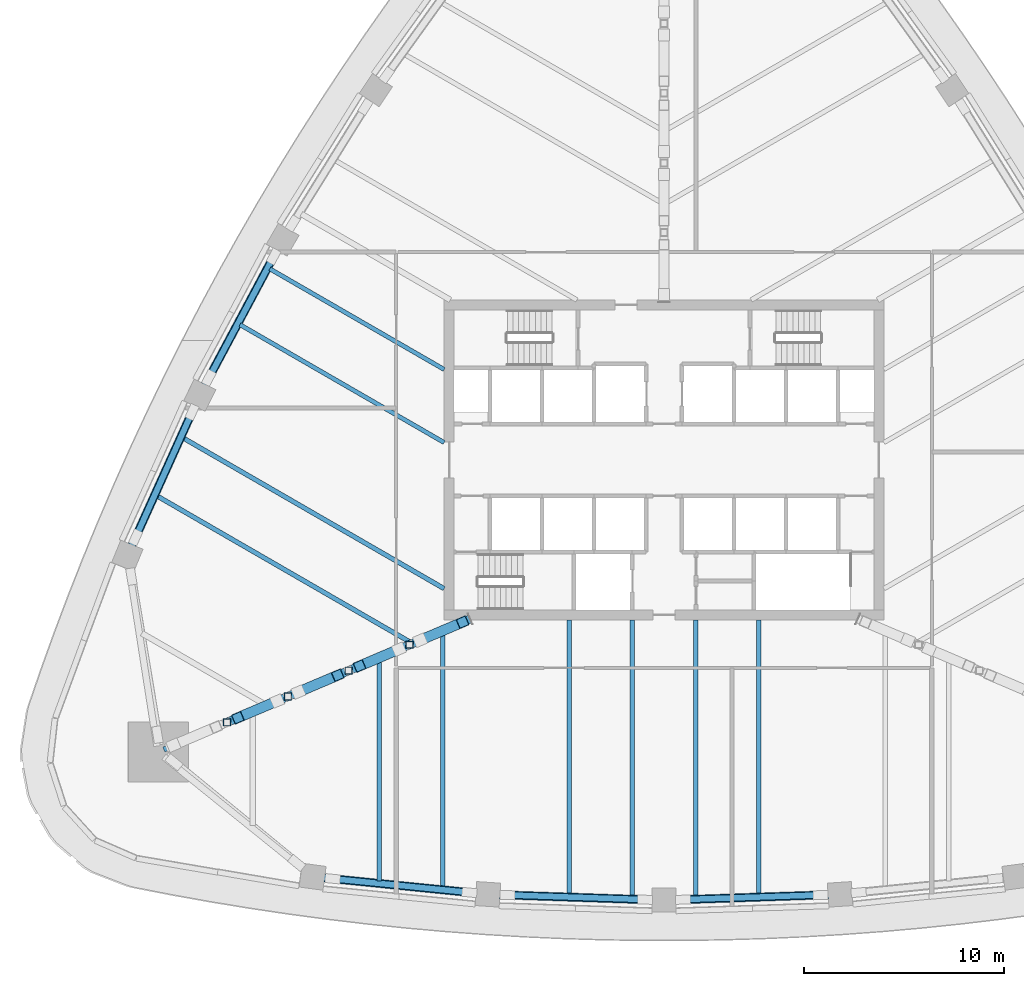
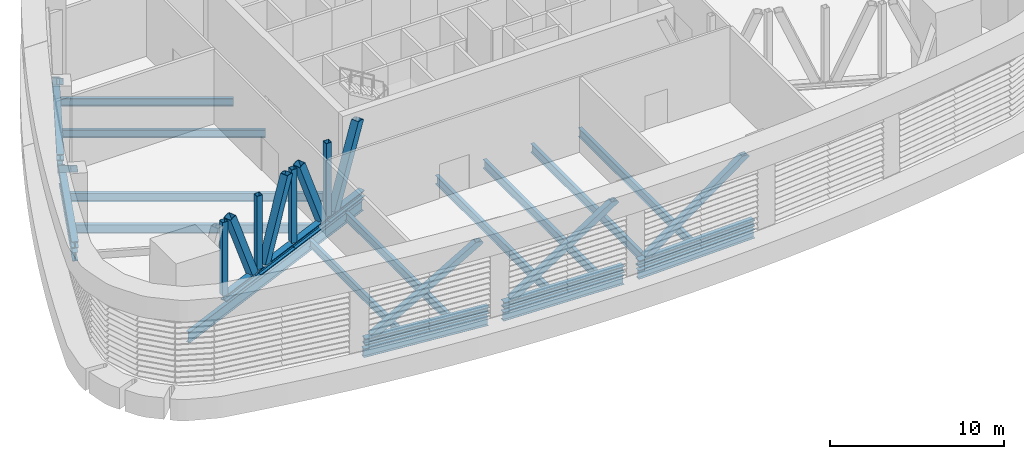
# One storey, part 2 of 18: 25 beams, 13 members.
"""IFC4 building model written with IfcOpenShell, lengths in metres."""

from ifc_helpers import new_model, si_unit, direction, frame, origin, origin_2d, place, context, subcontext, project, spatial, hollow_rectangle, i_section, extrude, clip, halfspace, material, material_profile, profile_set, type_object, element, save


model = new_model("IFC4")

# Units and contexts
model_context = context("Model", 3, precision=1e-05, world=origin(), true_north=direction((0.0, 1.0)))
body_context = subcontext(model_context, "Body", "Model", "MODEL_VIEW")
ifc_project = project(units=[si_unit("LENGTHUNIT", "METRE"), si_unit("AREAUNIT", "SQUARE_METRE"), si_unit("VOLUMEUNIT", "CUBIC_METRE"), si_unit("PLANEANGLEUNIT", "RADIAN"), si_unit("MASSUNIT", "GRAM", prefix="KILO")], contexts=[model_context])

# Site, building, storey
site_placement = place(None, origin())
site = spatial("IfcSite", under=ifc_project, at=site_placement, CompositionType="ELEMENT")
building_placement = place(site_placement, origin())
building = spatial("IfcBuilding", under=site, at=building_placement, Name="Sierra Prisma Convention Tower", CompositionType="ELEMENT")
storey_placement = place(building_placement, frame((0.0, 0.0, 112.60009765625)))
storey = spatial("IfcBuildingStorey", under=building, at=storey_placement, Name="L24", CompositionType="ELEMENT", Elevation=112.60009765625)

# Beams
ifc_material_1 = material(Name="Steel ASTM A992 Gr 50", Category="steel")
ifc_material_profile_1 = material_profile(ifc_material_1, i_section(OverallWidth=0.2119140625, OverallDepth=0.5439453125, WebThickness=0.01318359375, FlangeThickness=0.021240234375, at=origin_2d()), Name="W530x123")
ifc_profile_set_1 = profile_set([ifc_material_profile_1], Name="Steel ASTM A992 Gr 50")
beam_type_1 = type_object("IfcBeamType", Name="Plant floor joist W530x123", PredefinedType="JOIST", material=ifc_profile_set_1)
beam_1_placement = place(storey_placement, frame((-14.2431640625, -21.07421875, -0.522216796875), z_axis=(0.0, 1.0, 0.0), x_axis=(-1.0, 0.0, 0.0)))
element("IfcBeam", 1, at=beam_1_placement, inside=storey, type_object=beam_type_1, Name="Floor joist L24 S04", PredefinedType="JOIST", context=body_context, shape_type="SweptSolid", body=[
    extrude(i_section(OverallWidth=0.2119140625, OverallDepth=0.5439453125, WebThickness=0.01318359375, FlangeThickness=0.021240234375, at=origin_2d()), origin(), (0.0, 0.0, 1.0), 11.121826171875),
])
beam_2_placement = place(storey_placement, frame((-19.72412109375, 9.560302734375, -0.522216796875), z_axis=(0.866025766036, -0.499999372561, 0.0), x_axis=(0.499999372561, 0.866025766036, 0.0)))
element("IfcBeam", 2, at=beam_2_placement, inside=storey, type_object=beam_type_1, Name="Floor joist L24 NW09", PredefinedType="JOIST", context=body_context, shape_type="SweptSolid", body=[
    extrude(i_section(OverallWidth=0.2119140625, OverallDepth=0.5439453125, WebThickness=0.01318359375, FlangeThickness=0.021240234375, at=origin_2d()), origin(), (0.0, 0.0, 1.0), 10.07373046875),
])
beam_3_placement = place(storey_placement, frame((-21.215087890625, 6.766357421875, -0.522216796875), z_axis=(0.866024620579, -0.500001356548, 0.0), x_axis=(0.500001356548, 0.866024620579, 0.0)))
element("IfcBeam", 3, at=beam_3_placement, inside=storey, type_object=beam_type_1, Name="Floor joist L24 NW10", PredefinedType="JOIST", context=body_context, shape_type="SweptSolid", body=[
    extrude(i_section(OverallWidth=0.2119140625, OverallDepth=0.5439453125, WebThickness=0.01318359375, FlangeThickness=0.021240234375, at=origin_2d()), origin(), (0.0, 0.0, 1.0), 11.79541015625),
])
ifc_material_2 = material(Name="Steel ASTM A992 Gr 50", Category="steel")
ifc_material_profile_2 = material_profile(ifc_material_2, i_section(OverallWidth=0.22900390625, OverallDepth=0.612060546875, WebThickness=0.011962890625, FlangeThickness=0.01953125, at=origin_2d()), Name="W610x125")
ifc_profile_set_2 = profile_set([ifc_material_profile_2], Name="Steel ASTM A992 Gr 50")
beam_type_2 = type_object("IfcBeamType", Name="Plant floor joist W610x125", PredefinedType="JOIST", material=ifc_profile_set_2)
beam_4_placement = place(storey_placement, frame((-11.077880859375, -21.39208984375, -0.55615234375), z_axis=(0.0, 1.0, 0.0), x_axis=(-1.0, 0.0, 0.0)))
element("IfcBeam", 4, at=beam_4_placement, inside=storey, type_object=beam_type_2, Name="Floor joist L24 S05", PredefinedType="JOIST", context=body_context, shape_type="SweptSolid", body=[
    extrude(i_section(OverallWidth=0.22900390625, OverallDepth=0.612060546875, WebThickness=0.011962890625, FlangeThickness=0.01953125, at=origin_2d()), origin(), (0.0, 0.0, 1.0), 12.78955078125),
])
beam_5_placement = place(storey_placement, frame((-4.747802734375, -21.756103515625, -0.55615234375), z_axis=(0.0, 1.0, 0.0), x_axis=(-1.0, 0.0, 0.0)))
element("IfcBeam", 5, at=beam_5_placement, inside=storey, type_object=beam_type_2, Name="Floor joist L24 S07", PredefinedType="JOIST", context=body_context, shape_type="SweptSolid", body=[
    extrude(i_section(OverallWidth=0.22900390625, OverallDepth=0.612060546875, WebThickness=0.011962890625, FlangeThickness=0.01953125, at=origin_2d()), origin(), (0.0, 0.0, 1.0), 13.756103515625),
])
for number, where, z_axis, x_axis, name in (
    (6, (-1.58251953125, -21.861572265625, -0.55615234375), (0.0, 1.0, 0.0), (-1.0, 0.0, 0.0), "Floor joist L24 S08"),
    (7, (1.58251953125, -21.861572265625, -0.55615234375), (0.0, 1.0, 0.0), (-1.0, 0.0, 0.0), "Floor joist L24 S09"),
):
    element("IfcBeam", number, at=place(storey_placement, frame(where, z_axis=z_axis, x_axis=x_axis)), inside=storey, type_object=beam_type_2, Name=name, PredefinedType="JOIST", context=body_context, shape_type="SweptSolid", body=[
        extrude(i_section(OverallWidth=0.22900390625, OverallDepth=0.612060546875, WebThickness=0.011962890625, FlangeThickness=0.01953125, at=origin_2d()), origin(), (0.0, 0.0, 1.0), 13.861572265625),
    ])
beam_6_placement = place(storey_placement, frame((4.747802734375, -21.756103515625, -0.55615234375), z_axis=(0.0, 1.0, 0.0), x_axis=(-1.0, 0.0, 0.0)))
element("IfcBeam", 8, at=beam_6_placement, inside=storey, type_object=beam_type_2, Name="Floor joist L24 S10", PredefinedType="JOIST", context=body_context, shape_type="SweptSolid", body=[
    extrude(i_section(OverallWidth=0.22900390625, OverallDepth=0.612060546875, WebThickness=0.011962890625, FlangeThickness=0.01953125, at=origin_2d()), origin(), (0.0, 0.0, 1.0), 13.756103515625),
])
beam_7_placement = place(storey_placement, frame((-24.065185546875, 1.102294921875, -0.55615234375), z_axis=(0.866024700633, -0.500001217892, 0.0), x_axis=(0.500001217892, 0.866024700633, 0.0)))
element("IfcBeam", 9, at=beam_7_placement, inside=storey, type_object=beam_type_2, Name="Floor joist L24 NW12", PredefinedType="JOIST", context=body_context, shape_type="SweptSolid", body=[
    extrude(i_section(OverallWidth=0.22900390625, OverallDepth=0.612060546875, WebThickness=0.011962890625, FlangeThickness=0.01953125, at=origin_2d()), origin(), (0.0, 0.0, 1.0), 15.08642578125),
])
beam_8_placement = place(storey_placement, frame((-25.372314453125, -1.7978515625, -0.55615234375), z_axis=(0.866024978935, -0.500000735859, 0.0), x_axis=(0.500000735859, 0.866024978935, 0.0)))
element("IfcBeam", 10, at=beam_8_placement, inside=storey, type_object=beam_type_2, Name="Floor joist L24 NW13", PredefinedType="JOIST", context=body_context, shape_type="SweptSolid", body=[
    extrude(i_section(OverallWidth=0.22900390625, OverallDepth=0.612060546875, WebThickness=0.011962890625, FlangeThickness=0.01953125, at=origin_2d()), origin(), (0.0, 0.0, 1.0), 14.70751953125),
])
ifc_material_3 = material(Name="Steel ASTM A992 Gr 50", Category="steel")
ifc_material_profile_3 = material_profile(ifc_material_3, i_section(OverallWidth=0.264892578125, OverallDepth=0.7529296875, WebThickness=0.01318359375, FlangeThickness=0.01708984375, at=origin_2d()), Name="W760x147")
ifc_profile_set_3 = profile_set([ifc_material_profile_3], Name="Steel ASTM A992 Gr 50")
beam_type_3 = type_object("IfcBeamType", Name="Radial girder W760x147", PredefinedType="BEAM", material=ifc_profile_set_3)
beam_9_placement = place(storey_placement, frame((-25.02099609375, -14.4912109375, -0.626708984375), z_axis=(0.919843646703, 0.392285184043, 0.0), x_axis=(-0.392285184043, 0.919843646703, 0.0)))
element("IfcBeam", 11, at=beam_9_placement, inside=storey, type_object=beam_type_3, Name="Radial girder L24 SW", PredefinedType="BEAM", context=body_context, shape_type="SweptSolid", body=[
    extrude(i_section(OverallWidth=0.264892578125, OverallDepth=0.7529296875, WebThickness=0.01318359375, FlangeThickness=0.01708984375, at=origin_2d()), origin(), (0.0, 0.0, 1.0), 16.667236328125),
])
ifc_material_4 = material(Name="Steel ASTM A992 Gr 50", Category="steel")
ifc_material_profile_4 = material_profile(ifc_material_4, i_section(OverallWidth=0.324951171875, OverallDepth=0.615966796875, WebThickness=0.013916015625, FlangeThickness=0.021484375, at=origin_2d()), Name="W610x174")
ifc_profile_set_4 = profile_set([ifc_material_profile_4], Name="Steel ASTM A992 Gr 50")
beam_type_4 = type_object("IfcBeamType", Name="Spandrel beam W610x174", PredefinedType="BEAM", material=ifc_profile_set_4)
beam_10_placement = place(storey_placement, frame((-17.11328125, -20.899169921875, -0.55810546875), z_axis=(0.994991258504, -0.099961970275, 0.0), x_axis=(0.099961970275, 0.994991258504, 0.0)))
element("IfcBeam", 12, at=beam_10_placement, inside=storey, type_object=beam_type_4, Name="Spandrel L24-02", PredefinedType="BEAM", context=body_context, shape_type="SweptSolid", body=[
    extrude(i_section(OverallWidth=0.324951171875, OverallDepth=0.615966796875, WebThickness=0.013916015625, FlangeThickness=0.021484375, at=origin_2d()), origin(), (0.0, 0.0, 1.0), 7.859375),
])
for number, where, z_axis, x_axis, name in (
    (13, (-8.335205078125, -21.748779296875, -0.55810546875), (0.999443354483, -0.033361372579, 0.0), (0.033361372579, 0.999443354483, 0.0), "Spandrel L24-03"),
    (14, (0.47998046875, -22.010986328125, -0.55810546875), (0.999443354483, 0.033361372579, 0.0), (-0.033361372579, 0.999443354483, 0.0), "Spandrel L24-04"),
):
    element("IfcBeam", number, at=place(storey_placement, frame(where, z_axis=z_axis, x_axis=x_axis)), inside=storey, type_object=beam_type_4, Name=name, PredefinedType="BEAM", context=body_context, shape_type="SweptSolid", body=[
        extrude(i_section(OverallWidth=0.324951171875, OverallDepth=0.615966796875, WebThickness=0.013916015625, FlangeThickness=0.021484375, at=origin_2d()), origin(), (0.0, 0.0, 1.0), 7.859619140625),
    ])
for number, where, z_axis, x_axis, name in (
    (15, (-19.30224609375, 10.58984375, -0.55810546875), (-0.470825223161, -0.882226506763, 0.0), (0.882226506763, -0.470825223161, 0.0), "Spandrel L24-16"),
    (16, (-23.42626953125, 2.79443359375, -0.55810546875), (-0.410905791645, -0.911677810629, 0.0), (0.911677810629, -0.410905791645, 0.0), "Spandrel L24-17"),
):
    element("IfcBeam", number, at=place(storey_placement, frame(where, z_axis=z_axis, x_axis=x_axis)), inside=storey, type_object=beam_type_4, Name=name, PredefinedType="BEAM", context=body_context, shape_type="SweptSolid", body=[
        extrude(i_section(OverallWidth=0.324951171875, OverallDepth=0.615966796875, WebThickness=0.013916015625, FlangeThickness=0.021484375, at=origin_2d()), origin(), (0.0, 0.0, 1.0), 7.859375),
    ])
ifc_material_5 = material(Name="Steel ASTM A992 Gr 50", Category="steel")
ifc_material_profile_5 = material_profile(ifc_material_5, i_section(OverallWidth=0.41796875, OverallDepth=0.4580078125, WebThickness=0.036376953125, FlangeThickness=0.05859375, at=origin_2d()), Name="W360x463")
ifc_profile_set_5 = profile_set([ifc_material_profile_5], Name="Steel ASTM A992 Gr 50")
beam_type_5 = type_object("IfcBeamType", Name="Truss chord W360x463", PredefinedType="BEAM", material=ifc_profile_set_5)
beam_11_placement = place(storey_placement, frame((-17.048828125, -20.906982421875, 0.22900390625), z_axis=(0.994984240351, -0.100031802213, 0.0), x_axis=(0.100031802213, 0.994984240351, 0.0)))
element("IfcBeam", 17, at=beam_11_placement, inside=storey, type_object=beam_type_5, Name="Belt truss L24-02 bottom chord 1", PredefinedType="BEAM", context=body_context, shape_type="SweptSolid", body=[
    extrude(i_section(OverallWidth=0.41796875, OverallDepth=0.4580078125, WebThickness=0.036376953125, FlangeThickness=0.05859375, at=origin_2d()), origin(), (0.0, 0.0, 1.0), 7.8271484375),
])
for number, where, z_axis, x_axis, name in (
    (18, (-8.302978515625, -21.75390625, 0.22900390625), (0.999441891146, -0.03340518258, 0.0), (0.03340518258, 0.999441891146, 0.0), "Belt truss L24-03 bottom chord 1"),
    (19, (0.47998046875, -22.015380859375, 0.22900390625), (0.999441891146, 0.03340518258, 0.0), (-0.03340518258, 0.999441891146, 0.0), "Belt truss L24-04 bottom chord 1"),
):
    element("IfcBeam", number, at=place(storey_placement, frame(where, z_axis=z_axis, x_axis=x_axis)), inside=storey, type_object=beam_type_5, Name=name, PredefinedType="BEAM", context=body_context, shape_type="SweptSolid", body=[
        extrude(i_section(OverallWidth=0.41796875, OverallDepth=0.4580078125, WebThickness=0.036376953125, FlangeThickness=0.05859375, at=origin_2d()), origin(), (0.0, 0.0, 1.0), 7.827392578125),
    ])
for number, where, z_axis, x_axis, name in (
    (20, (-19.305908203125, 10.591796875, 0.22900390625), (-0.470811636761, -0.882233757397, 0.0), (0.882233757397, -0.470811636761, 0.0), "Belt truss L24-16 bottom chord 1"),
    (21, (-23.41455078125, 2.82470703125, 0.22900390625), (-0.410856161502, -0.911700177995, 0.0), (0.911700177995, -0.410856161502, 0.0), "Belt truss L24-17 bottom chord 1"),
):
    element("IfcBeam", number, at=place(storey_placement, frame(where, z_axis=z_axis, x_axis=x_axis)), inside=storey, type_object=beam_type_5, Name=name, PredefinedType="BEAM", context=body_context, shape_type="SweptSolid", body=[
        extrude(i_section(OverallWidth=0.41796875, OverallDepth=0.4580078125, WebThickness=0.036376953125, FlangeThickness=0.05859375, at=origin_2d()), origin(), (0.0, 0.0, 1.0), 7.8271484375),
    ])
beam_12_placement = place(storey_placement, frame((-21.86474609375, -13.1318359375, 0.22900390625), z_axis=(0.920221950484, 0.391396936431, 0.0), x_axis=(-0.391396936431, 0.920221950484, 0.0)))
element("IfcBeam", 22, at=beam_12_placement, inside=storey, type_object=beam_type_5, Name="Outrigger truss L24 SW bottom chord 2", PredefinedType="BEAM", context=body_context, shape_type="SweptSolid", body=[
    extrude(i_section(OverallWidth=0.41796875, OverallDepth=0.4580078125, WebThickness=0.036376953125, FlangeThickness=0.05859375, at=origin_2d()), origin(), (0.0, 0.0, 1.0), 3.307861328125),
])
for number, where, z_axis, x_axis, name in (
    (23, (-18.82080078125, -11.837158203125, 0.22900390625), (0.920210642768, 0.391423521184, 0.0), (-0.391423521184, 0.920210642768, 0.0), "Outrigger truss L24 SW bottom chord 3"),
    (24, (-15.777099609375, -10.54248046875, 0.22900390625), (0.920210642768, 0.391423521184, 0.0), (-0.391423521184, 0.920210642768, 0.0), "Outrigger truss L24 SW bottom chord 4"),
):
    element("IfcBeam", number, at=place(storey_placement, frame(where, z_axis=z_axis, x_axis=x_axis)), inside=storey, type_object=beam_type_5, Name=name, PredefinedType="BEAM", context=body_context, shape_type="SweptSolid", body=[
        extrude(i_section(OverallWidth=0.41796875, OverallDepth=0.4580078125, WebThickness=0.036376953125, FlangeThickness=0.05859375, at=origin_2d()), origin(), (0.0, 0.0, 1.0), 3.3076171875),
    ])
beam_13_placement = place(storey_placement, frame((-12.7333984375, -9.247802734375, 0.22900390625), z_axis=(0.920215441171, 0.391412240266, 0.0), x_axis=(-0.391412240266, 0.920215441171, 0.0)))
element("IfcBeam", 25, at=beam_13_placement, inside=storey, type_object=beam_type_5, Name="Outrigger truss L24 SW bottom chord 5", PredefinedType="BEAM", context=body_context, shape_type="SweptSolid", body=[
    extrude(i_section(OverallWidth=0.41796875, OverallDepth=0.4580078125, WebThickness=0.036376953125, FlangeThickness=0.05859375, at=origin_2d()), origin(), (0.0, 0.0, 1.0), 3.292724609375),
])

# Members
ifc_material_6 = material(Name="Steel ASTM A500 Gr C", Category="steel")
ifc_material_profile_6 = material_profile(ifc_material_6, hollow_rectangle(XDim=0.406005859375, YDim=0.406005859375, WallThickness=0.01904296875, at=origin_2d()), Name="Truss diagonal HSS 406x406x19")
ifc_profile_set_6 = profile_set([ifc_material_profile_6], Name="Steel ASTM A500 Gr C")
member_type_1 = type_object("IfcMemberType", Name="Truss diagonal HSS 406x406x19", PredefinedType="BRACE", material=ifc_profile_set_6)
member_1_placement = place(storey_placement, frame((-16.575439453125, -20.95458984375, 0.4580078125), z_axis=(0.817184082857, -0.082152941059, 0.570491953494), x_axis=(0.100027544021, 0.994984668443, 0.0)))
element("IfcMember", 26, at=member_1_placement, inside=storey, type_object=member_type_1, Name="Belt truss L24-02 diagonal 1", PredefinedType="BRACE", context=body_context, shape_type="SweptSolid", body=[
    clip(clip(extrude(hollow_rectangle(XDim=0.406005859375, YDim=0.406005859375, WallThickness=0.01904296875, at=origin_2d()), origin(), (0.0, 0.0, 1.0), 8.37158203125), halfspace(frame((0.000244140625, 0.01220703125, 0.008544921875), z_axis=(0.0, 0.821303190667, 0.570491953494), x_axis=(1.0, 0.0, 0.0)), True)), halfspace(frame((0.0, -0.01220703125, 8.363037109375), z_axis=(0.0, -0.821303190667, -0.570491953494), x_axis=(1.0, 0.0, 0.0)), True)),
])
for number, where, z_axis, x_axis, name in (
    (27, (-7.827392578125, -21.77001953125, 0.4580078125), (0.820849831335, -0.027413182274, 0.570485820889), (0.03337749129, 0.999442816311, 0.0), "Belt truss L24-03 diagonal 1"),
    (28, (0.95556640625, -21.99951171875, 0.4580078125), (0.820849831335, 0.027413182274, 0.570485820889), (-0.03337749129, 0.999442816311, 0.0), "Belt truss L24-04 diagonal 1"),
):
    element("IfcMember", number, at=place(storey_placement, frame(where, z_axis=z_axis, x_axis=x_axis)), inside=storey, type_object=member_type_1, Name=name, PredefinedType="BRACE", context=body_context, shape_type="SweptSolid", body=[
        clip(clip(extrude(hollow_rectangle(XDim=0.406005859375, YDim=0.406005859375, WallThickness=0.01904296875, at=origin_2d()), origin(), (0.0, 0.0, 1.0), 8.37158203125), halfspace(frame((0.0, 0.01220703125, 0.008544921875), z_axis=(0.0, 0.82130745045, 0.570485820889), x_axis=(1.0, 0.0, 0.0)), True)), halfspace(frame((0.0, -0.01220703125, 8.363037109375), z_axis=(0.0, -0.82130745045, -0.570485820889), x_axis=(1.0, 0.0, 0.0)), True)),
    ])
member_2_placement = place(storey_placement, frame((-19.530029296875, 10.172119140625, 0.4580078125), z_axis=(-0.386648922588, -0.724594895958, 0.570495265022), x_axis=(0.882252660894, -0.470776212595, 0.0)))
element("IfcMember", 29, at=member_2_placement, inside=storey, type_object=member_type_1, Name="Belt truss L24-16 diagonal 1", PredefinedType="BRACE", context=body_context, shape_type="SweptSolid", body=[
    clip(clip(extrude(hollow_rectangle(XDim=0.406005859375, YDim=0.406005859375, WallThickness=0.01904296875, at=origin_2d()), origin(), (0.0, 0.0, 1.0), 8.37158203125), halfspace(frame((0.0, 0.01220703125, 0.008544921875), z_axis=(0.0, 0.821300890409, 0.570495265022), x_axis=(1.0, 0.0, 0.0)), True)), halfspace(frame((0.0, -0.01220703125, 8.363037109375), z_axis=(0.0, -0.821300890409, -0.570495265022), x_axis=(1.0, 0.0, 0.0)), True)),
])
member_3_placement = place(storey_placement, frame((-23.60986328125, 2.39111328125, 0.4580078125), z_axis=(-0.337443488203, -0.748785671343, 0.570483926733), x_axis=(0.91169813621, -0.410860692245, 0.0)))
element("IfcMember", 30, at=member_3_placement, inside=storey, type_object=member_type_1, Name="Belt truss L24-17 diagonal 1", PredefinedType="BRACE", context=body_context, shape_type="SweptSolid", body=[
    clip(clip(extrude(hollow_rectangle(XDim=0.406005859375, YDim=0.406005859375, WallThickness=0.01904296875, at=origin_2d()), origin(), (0.0, 0.0, 1.0), 8.37158203125), halfspace(frame((0.0, 0.01220703125, 0.0087890625), z_axis=(0.0, 0.82130876614, 0.570483926733), x_axis=(1.0, 0.0, 0.0)), True)), halfspace(frame((0.0, -0.01220703125, 8.363037109375), z_axis=(0.0, -0.82130876614, -0.570483926733), x_axis=(1.0, 0.0, 0.0)), True)),
])
ifc_material_7 = material(Name="Steel ASTM A572 Gr 50", Category="steel")
ifc_material_profile_7 = material_profile(ifc_material_7, hollow_rectangle(XDim=0.508056640625, YDim=0.508056640625, WallThickness=0.025390625, at=origin_2d()), Name="Truss diagonal HSS 508x508x25")
ifc_profile_set_7 = profile_set([ifc_material_profile_7], Name="Steel ASTM A572 Gr 50")
member_type_2 = type_object("IfcMemberType", Name="Truss diagonal HSS 508x508x25", PredefinedType="BRACE", material=ifc_profile_set_7)
member_4_placement = place(storey_placement, frame((-21.337158203125, -12.907470703125, 5.6240234375), z_axis=(0.355145635574, 0.151065507889, -0.922524140529), x_axis=(-0.391422884339, 0.920210913658, 0.0)))
element("IfcMember", 31, at=member_4_placement, inside=storey, type_object=member_type_2, Name="Outrigger truss L24 SW diagonal 2", PredefinedType="BRACE", context=body_context, shape_type="SweptSolid", body=[
    clip(clip(extrude(hollow_rectangle(XDim=0.508056640625, YDim=0.508056640625, WallThickness=0.025390625, at=origin_2d()), origin(), (0.0, 0.0, 1.0), 5.599853515625), halfspace(frame((0.0, 0.0, 0.0), z_axis=(0.0, -0.385939386616, 0.922524140529), x_axis=(1.0, 0.0, 0.0)), True)), halfspace(frame((0.0, 0.005859375, 5.586181640625), z_axis=(0.0, 0.385939386616, -0.922524140529), x_axis=(1.0, 0.0, 0.0)), True)),
])
member_5_placement = place(storey_placement, frame((-18.293212890625, -11.61279296875, 0.4580078125), z_axis=(0.35510753603, 0.15106784682, 0.922538423867), x_axis=(-0.391463577144, 0.920193603417, 0.0)))
element("IfcMember", 32, at=member_5_placement, inside=storey, type_object=member_type_2, Name="Outrigger truss L24 SW diagonal 3", PredefinedType="BRACE", context=body_context, shape_type="SweptSolid", body=[
    clip(clip(extrude(hollow_rectangle(XDim=0.508056640625, YDim=0.508056640625, WallThickness=0.025390625, at=origin_2d()), origin(), (0.0, 0.0, 1.0), 5.599853515625), halfspace(frame((0.0, 0.005859375, 0.013671875), z_axis=(0.0, 0.385905242888, 0.922538423867), x_axis=(1.0, 0.0, 0.0)), True)), halfspace(frame((0.0, 0.0, 5.599853515625), z_axis=(0.0, -0.385905242888, -0.922538423867), x_axis=(1.0, 0.0, 0.0)), True)),
])
member_6_placement = place(storey_placement, frame((-15.24951171875, -10.318115234375, 5.6240234375), z_axis=(0.35510753603, 0.15106784682, -0.922538423867), x_axis=(-0.391463577144, 0.920193603417, 0.0)))
element("IfcMember", 33, at=member_6_placement, inside=storey, type_object=member_type_2, Name="Outrigger truss L24 SW diagonal 4", PredefinedType="BRACE", context=body_context, shape_type="SweptSolid", body=[
    clip(clip(extrude(hollow_rectangle(XDim=0.508056640625, YDim=0.508056640625, WallThickness=0.025390625, at=origin_2d()), origin(), (0.0, 0.0, 1.0), 5.599853515625), halfspace(frame((0.0, 0.0, 0.0), z_axis=(0.0, -0.385905242888, 0.922538423867), x_axis=(1.0, 0.0, 0.0)), True)), halfspace(frame((0.0, 0.005859375, 5.5859375), z_axis=(0.0, 0.385905242888, -0.922538423867), x_axis=(1.0, 0.0, 0.0)), True)),
])
member_7_placement = place(storey_placement, frame((-12.20263671875, -9.02197265625, 0.4580078125), z_axis=(0.378652575762, 0.161049025227, 0.911419463443), x_axis=(-0.391391099459, 0.920224433095, 0.0)))
element("IfcMember", 34, at=member_7_placement, inside=storey, type_object=member_type_2, Name="Outrigger truss L24 SW diagonal 5", PredefinedType="BRACE", context=body_context, shape_type="SweptSolid", body=[
    clip(clip(extrude(hollow_rectangle(XDim=0.508056640625, YDim=0.508056640625, WallThickness=0.025390625, at=origin_2d()), origin(), (0.0, 0.0, 1.0), 5.668212890625), halfspace(frame((0.0, 0.006103515625, 0.013671875), z_axis=(0.0, 0.411478506921, 0.911419463443), x_axis=(1.0, 0.0, 0.0)), True)), halfspace(frame((0.0, 0.0, 5.668212890625), z_axis=(0.0, -0.411478506921, -0.911419463443), x_axis=(1.0, 0.0, 0.0)), True)),
])
ifc_material_8 = material(Name="Steel ASTM A500 Gr C", Category="steel")
ifc_material_profile_8 = material_profile(ifc_material_8, hollow_rectangle(XDim=0.35595703125, YDim=0.35595703125, WallThickness=0.015869140625, at=origin_2d()), Name="Truss post HSS 356x356x16")
ifc_profile_set_8 = profile_set([ifc_material_profile_8], Name="Steel ASTM A500 Gr C")
member_type_3 = type_object("IfcMemberType", Name="Truss post HSS 356x356x16", PredefinedType="POST", material=ifc_profile_set_8)
for number, where, z_axis, x_axis, name in (
    (35, (-21.86474609375, -13.1318359375, 0.472900390625), (0.0, 0.0, 1.0), (1.0, 0.0, 0.0), "Outrigger truss L24 SW post 1"),
    (36, (-18.82080078125, -11.837158203125, 0.472900390625), (0.0, 0.0, 1.0), (1.0, 0.0, 0.0), "Outrigger truss L24 SW post 2"),
    (37, (-15.777099609375, -10.54248046875, 0.472900390625), (0.0, 0.0, 1.0), (1.0, 0.0, 0.0), "Outrigger truss L24 SW post 3"),
    (38, (-12.7333984375, -9.247802734375, 0.472900390625), (0.0, 0.0, 1.0), (1.0, 0.0, 0.0), "Outrigger truss L24 SW post 4"),
):
    element("IfcMember", number, at=place(storey_placement, frame(where, z_axis=z_axis, x_axis=x_axis)), inside=storey, type_object=member_type_3, Name=name, PredefinedType="POST", context=body_context, shape_type="SweptSolid", body=[
        extrude(hollow_rectangle(XDim=0.35595703125, YDim=0.35595703125, WallThickness=0.015869140625, at=origin_2d()), origin(), (0.0, 0.0, 1.0), 5.151123046875),
    ])

save(model, "model.ifc")
